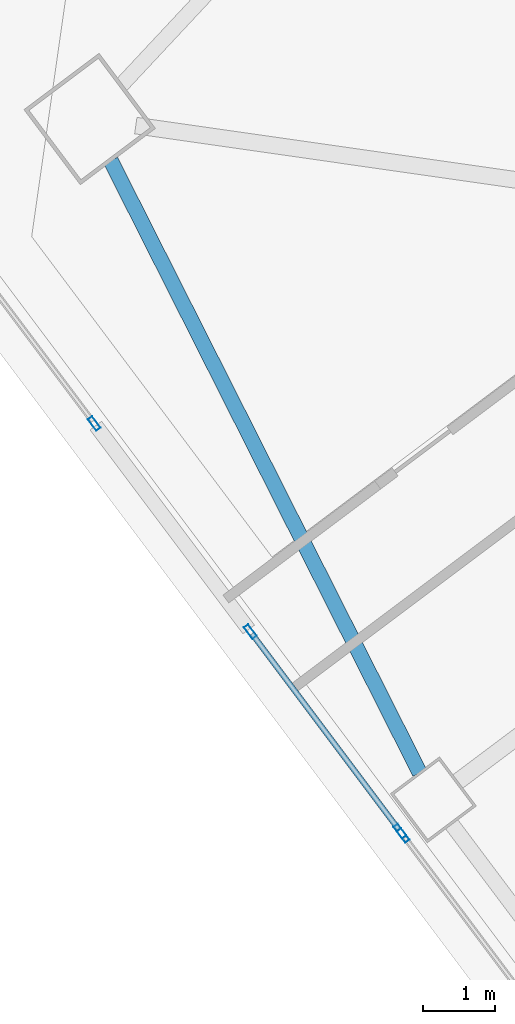
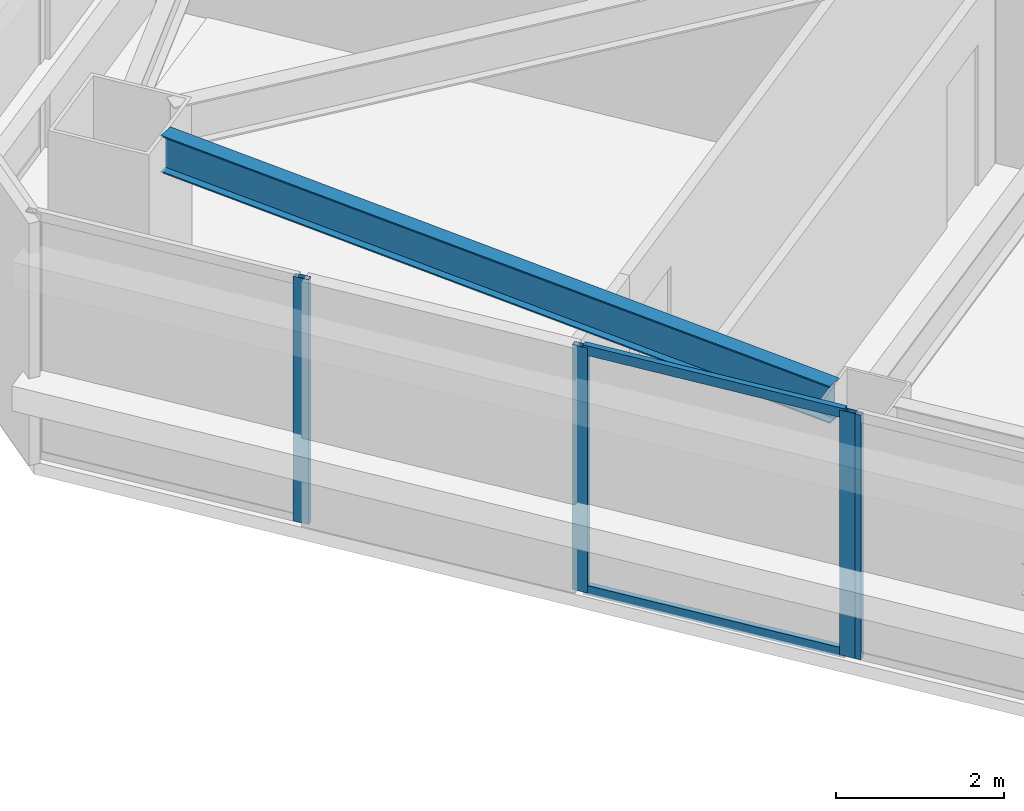
# One storey, part 23 of 46: 6 members, 1 beam, 3 elements without a shape of their own.
"""IFC4 building model written with IfcOpenShell, lengths in metres."""

from ifc_helpers import new_model, si_unit, direction, frame, origin, origin_2d, place, context, subcontext, project, spatial, hollow_rectangle, i_section, extrude, material, material_profile, profile_set, type_object, element, aggregate, save


model = new_model("IFC4")

# Units and contexts
model_context = context("Model", 3, precision=1e-05, world=origin(), true_north=direction((0.0, 1.0)))
body_context = subcontext(model_context, "Body", "Model", "MODEL_VIEW")
ifc_project = project(units=[si_unit("LENGTHUNIT", "METRE"), si_unit("AREAUNIT", "SQUARE_METRE"), si_unit("VOLUMEUNIT", "CUBIC_METRE"), si_unit("PLANEANGLEUNIT", "RADIAN"), si_unit("MASSUNIT", "GRAM", prefix="KILO")], contexts=[model_context])

# Site, building, storey
site_placement = place(None, origin())
site = spatial("IfcSite", under=ifc_project, at=site_placement, CompositionType="ELEMENT")
building_placement = place(site_placement, origin())
building = spatial("IfcBuilding", under=site, at=building_placement, Name="Tashvorn Skyway Center", CompositionType="ELEMENT")
storey_placement = place(building_placement, frame((0.0, 0.0, 139.25)))
storey = spatial("IfcBuildingStorey", under=building, at=storey_placement, Name="L37", CompositionType="ELEMENT", Elevation=139.25)

# Beam
ifc_material_1 = material(Name="Steel ASTM A992 Grade 50", Category="steel")
ifc_material_profile_1 = material_profile(ifc_material_1, i_section(OverallWidth=0.2109375, OverallDepth=0.5390625, WebThickness=0.01171875, FlangeThickness=0.018798828125, at=origin_2d()), Name="W21X73")
ifc_profile_set_1 = profile_set([ifc_material_profile_1], Name="Steel ASTM A992 Grade 50")
beam_type = type_object("IfcBeamType", Name="BM-SPANDREL-W21X73", PredefinedType="SPANDREL", material=ifc_profile_set_1)
beam_placement = place(storey_placement, frame((92.170654296875, 34.584228515625, 3.1005859375), z_axis=(0.450613543136, -0.892719124217, 0.0), x_axis=(0.892719124217, 0.450613543136, 0.0)))
element("IfcBeam", 1, at=beam_placement, inside=storey, type_object=beam_type, Name="Tower 2 L37 Spandrel Beam 10", PredefinedType="SPANDREL", context=body_context, shape_type="SweptSolid", body=[
    extrude(i_section(OverallWidth=0.2109375, OverallDepth=0.5390625, WebThickness=0.01171875, FlangeThickness=0.018798828125, at=origin_2d()), origin(), (0.0, 0.0, 1.0), 9.498291015625),
])

# Curtain wall, member
ifc_material_2 = material(Name="Thermally broken bronze-anodized aluminium 6063-T6", Category="aluminium")
curtain_wall_type = type_object("IfcCurtainWallType", Name="CW-CW-Z3", PredefinedType="NOTDEFINED", material=ifc_material_2)
curtain_wall_1_placement = place(storey_placement, origin())
curtain_wall_1 = element("IfcCurtainWall", 2, at=curtain_wall_1_placement, inside=storey, type_object=curtain_wall_type, Name="Tower 2 L37 West Unitised Curtain Wall Glazing Group 3", PredefinedType="NOTDEFINED")
ifc_material_profile_2 = material_profile(ifc_material_2, hollow_rectangle(XDim=0.074951171875, YDim=0.199951171875, WallThickness=0.00439453125, at=origin_2d()), Name="ALU-MULL-75x200")
ifc_profile_set_2 = profile_set([ifc_material_profile_2], Name="Thermally broken bronze-anodized aluminium 6063-T6")
member_type_1 = type_object("IfcMemberType", Name="CWM-CW-Z3", PredefinedType="MULLION", material=ifc_profile_set_2)
member_1_placement = place(storey_placement, frame((96.222412109375, 25.23681640625, 0.0), z_axis=(0.0, 0.0, 1.0), x_axis=(-0.800002266987, -0.599996977339, 0.0)))
member_1 = element("IfcMember", 3, at=member_1_placement, type_object=member_type_1, Name="CW-Z3 mullion 2", PredefinedType="MULLION", context=body_context, shape_type="SweptSolid", body=[
    extrude(hollow_rectangle(XDim=0.074951171875, YDim=0.199951171875, WallThickness=0.00439453125, at=origin_2d()), origin(), (0.0, 0.0, 1.0), 3.550048828125),
])
aggregate(curtain_wall_1, [member_1])

# Curtain wall, members
curtain_wall_2_placement = place(storey_placement, origin())
curtain_wall_2 = element("IfcCurtainWall", 4, at=curtain_wall_2_placement, inside=storey, type_object=curtain_wall_type, Name="Tower 2 L37 West Unitised Curtain Wall Glazing Group 4", PredefinedType="NOTDEFINED")
member_2_placement = place(storey_placement, frame((96.177490234375, 25.296630859375, 0.0), z_axis=(0.0, 0.0, 1.0), x_axis=(-0.800003400519, -0.599995465948, 0.0)))
member_2 = element("IfcMember", 5, at=member_2_placement, type_object=member_type_1, Name="CW-Z3 mullion 1", PredefinedType="MULLION", context=body_context, shape_type="SweptSolid", body=[
    extrude(hollow_rectangle(XDim=0.074951171875, YDim=0.199951171875, WallThickness=0.00439453125, at=origin_2d()), origin(), (0.0, 0.0, 1.0), 3.550048828125),
])
member_3_placement = place(storey_placement, frame((94.105224609375, 28.059814453125, 0.0), z_axis=(0.0, 0.0, 1.0), x_axis=(-0.800003400519, -0.599995465948, 0.0)))
member_3 = element("IfcMember", 6, at=member_3_placement, type_object=member_type_1, Name="CW-Z3 mullion 2", PredefinedType="MULLION", context=body_context, shape_type="SweptSolid", body=[
    extrude(hollow_rectangle(XDim=0.074951171875, YDim=0.199951171875, WallThickness=0.00439453125, at=origin_2d()), origin(), (0.0, 0.0, 1.0), 3.550048828125),
])

# Curtain wall, member
curtain_wall_3_placement = place(storey_placement, origin())
curtain_wall_3 = element("IfcCurtainWall", 7, at=curtain_wall_3_placement, inside=storey, type_object=curtain_wall_type, Name="Tower 2 L37 West Unitised Curtain Wall Glazing Group 5", PredefinedType="NOTDEFINED")
member_4_placement = place(storey_placement, frame((91.94287109375, 30.94287109375, 0.0), z_axis=(0.0, 0.0, 1.0), x_axis=(-0.800003400519, -0.599995465948, 0.0)))
member_4 = element("IfcMember", 8, at=member_4_placement, type_object=member_type_1, Name="CW-Z3 mullion 1", PredefinedType="MULLION", context=body_context, shape_type="SweptSolid", body=[
    extrude(hollow_rectangle(XDim=0.074951171875, YDim=0.199951171875, WallThickness=0.00439453125, at=origin_2d()), origin(), (0.0, 0.0, 1.0), 3.550048828125),
])
aggregate(curtain_wall_3, [member_4])

# Member
ifc_material_profile_3 = material_profile(ifc_material_2, hollow_rectangle(XDim=0.074951171875, YDim=0.139892578125, WallThickness=0.004150390625, at=origin_2d()), Name="ALU-TRAN-75x140")
ifc_profile_set_3 = profile_set([ifc_material_profile_3], Name="Thermally broken bronze-anodized aluminium 6063-T6")
member_type_2 = type_object("IfcMemberType", Name="CWT-CW-Z3", PredefinedType="USERDEFINED", material=ifc_profile_set_3)
member_5_placement = place(storey_placement, frame((96.155029296875, 25.32666015625, 0.03759765625), z_axis=(-0.6, 0.8, 0.0), x_axis=(-0.8, -0.6, 0.0)))
member_5 = element("IfcMember", 9, at=member_5_placement, type_object=member_type_2, Name="CW-Z3 transom 1.1", ObjectType="TRANSOM", PredefinedType="USERDEFINED", context=body_context, shape_type="SweptSolid", body=[
    extrude(hollow_rectangle(XDim=0.074951171875, YDim=0.139892578125, WallThickness=0.004150390625, at=origin_2d()), origin(), (0.0, 0.0, 1.0), 3.37890625),
])

member_6_placement = place(storey_placement, frame((96.155029296875, 25.32666015625, 3.512451171875), z_axis=(-0.6, 0.8, 0.0), x_axis=(-0.8, -0.6, 0.0)))
member_6 = element("IfcMember", 10, at=member_6_placement, type_object=member_type_2, Name="CW-Z3 transom 1.2", ObjectType="TRANSOM", PredefinedType="USERDEFINED", context=body_context, shape_type="SweptSolid", body=[
    extrude(hollow_rectangle(XDim=0.074951171875, YDim=0.139892578125, WallThickness=0.004150390625, at=origin_2d()), origin(), (0.0, 0.0, 1.0), 3.37890625),
])

aggregate(curtain_wall_2, [member_2, member_3, member_5, member_6])

save(model, "model.ifc")
